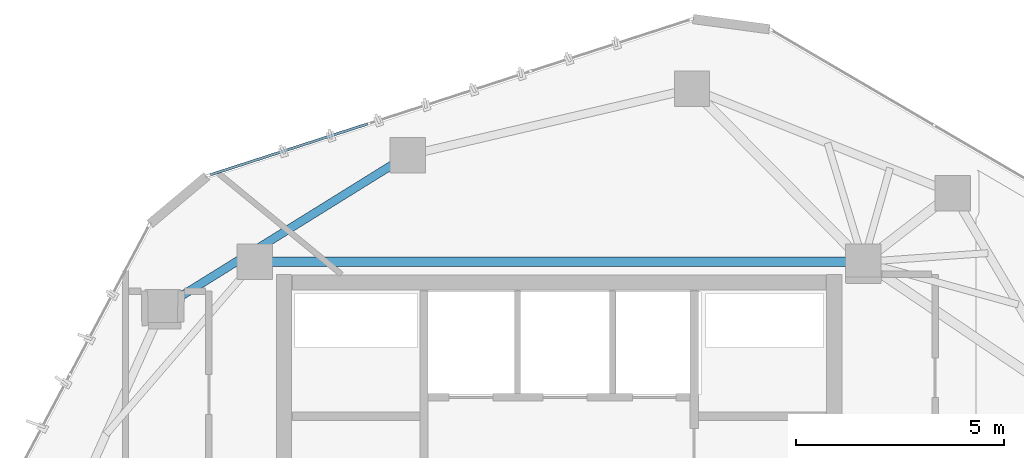
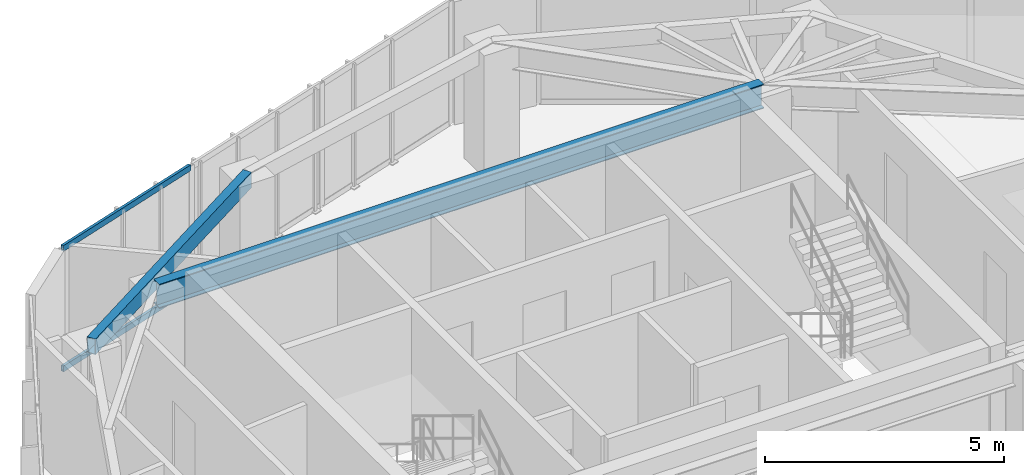
# One storey, part 9 of 19: 2 beams, 2 members, 1 element without a shape of its own.
"""IFC4 building model written with IfcOpenShell, lengths in metres."""

from ifc_helpers import new_model, si_unit, direction, frame, origin, origin_2d, place, context, subcontext, project, spatial, hollow_rectangle, i_section, extrude, source, transform, mapped, material, layer, layer_set, material_profile, profile_set, type_object, type_shapes, element, aggregate, save


model = new_model("IFC4")

# Units and contexts
model_context = context("Model", 3, precision=1e-05, world=origin(), true_north=direction((0.0, 1.0)))
body_context = subcontext(model_context, "Body", "Model", "MODEL_VIEW")
ifc_project = project(units=[si_unit("LENGTHUNIT", "METRE"), si_unit("AREAUNIT", "SQUARE_METRE"), si_unit("VOLUMEUNIT", "CUBIC_METRE"), si_unit("PLANEANGLEUNIT", "RADIAN"), si_unit("MASSUNIT", "GRAM", prefix="KILO")], contexts=[model_context])

# Site, building, storey
site_placement = place(None, origin())
site = spatial("IfcSite", under=ifc_project, at=site_placement, CompositionType="ELEMENT")
building_placement = place(site_placement, origin())
building = spatial("IfcBuilding", under=site, at=building_placement, Name="Talar Marvaseh", CompositionType="ELEMENT")
storey_placement = place(building_placement, frame((0.0, 0.0, 288.39990234375)))
storey = spatial("IfcBuildingStorey", under=building, at=storey_placement, Name="L77", CompositionType="ELEMENT", Elevation=288.39990234375)

# Beams
ifc_material_1 = material(Name="Steel S355", Category="steel")
ifc_material_profile_1 = material_profile(ifc_material_1, hollow_rectangle(XDim=0.199951171875, YDim=0.39990234375, WallThickness=0.013916015625, at=origin_2d()), Name="RHS400x200x14")
ifc_profile_set_1 = profile_set([ifc_material_profile_1], Name="Steel S355")
beam_type_1 = type_object("IfcBeamType", Name="Zone 3 Perimeter Spandrel Beam RHS400x200x14", PredefinedType="SPANDREL", material=ifc_profile_set_1)
beam_1_placement = place(storey_placement, frame((16.493896484375, 35.806884765625, 2.940185546875), z_axis=(0.849439811678, 0.527685518407, 0.0), x_axis=(-0.527685518407, 0.849439811678, 0.0)))
element("IfcBeam", 1, at=beam_1_placement, inside=storey, type_object=beam_type_1, Name="L77 Zone 3 Perimeter Spandrel Beam RHS400x200x14", PredefinedType="SPANDREL", context=body_context, shape_type="SweptSolid", body=[
    extrude(hollow_rectangle(XDim=0.199951171875, YDim=0.39990234375, WallThickness=0.013916015625, at=origin_2d()), origin(), (0.0, 0.0, 1.0), 6.91162109375),
])
ifc_material_profile_2 = material_profile(ifc_material_1, i_section(OverallWidth=0.22998046875, OverallDepth=0.616943359375, WebThickness=0.01318359375, FlangeThickness=0.022216796875, at=origin_2d()), Name="W610x140")
ifc_profile_set_2 = profile_set([ifc_material_profile_2], Name="Steel S355")
beam_type_2 = type_object("IfcBeamType", Name="Zone 4 Radial Floor Girder W610x140", PredefinedType="BEAM", material=ifc_profile_set_2)
beam_2_placement = place(storey_placement, frame((18.699951171875, 36.89990234375, 2.83154296875), z_axis=(1.0, 0.0, 0.0), x_axis=(0.0, 1.0, 0.0)))
element("IfcBeam", 2, at=beam_2_placement, inside=storey, type_object=beam_type_2, Name="L77 Zone 4 Radial Floor Girder W610x140", PredefinedType="BEAM", context=body_context, shape_type="SweptSolid", body=[
    extrude(i_section(OverallWidth=0.22998046875, OverallDepth=0.616943359375, WebThickness=0.01318359375, FlangeThickness=0.022216796875, at=origin_2d()), origin(), (0.0, 0.0, 1.0), 14.60009765625),
])

# Curtain wall, members
ifc_material_2 = material(Name="Architectural Aluminium", Category="aluminium")
ifc_layer = layer(ifc_material_2, 0.179931640625)
ifc_layer_set = layer_set([ifc_layer], Name="Architectural Aluminium")
curtain_wall_type = type_object("IfcCurtainWallType", Name="Unitised High-Wind Sky Curtain Wall Z4", PredefinedType="NOTDEFINED", material=ifc_layer_set)
curtain_wall_placement = place(storey_placement, origin())
curtain_wall = element("IfcCurtainWall", 3, at=curtain_wall_placement, inside=storey, type_object=curtain_wall_type, Name="L77 Unitised High-Wind Sky Curtain Wall Z4", PredefinedType="NOTDEFINED")
ifc_material_profile_3 = material_profile(ifc_material_2, hollow_rectangle(XDim=0.06494140625, YDim=0.14990234375, WallThickness=0.00390625, at=origin_2d()), Name="RHS150x65x4")
ifc_profile_set_3 = profile_set([ifc_material_profile_3], Name="Architectural Aluminium")
member_type = type_object("IfcMemberType", Name="Unitised Curtain Wall Slim Transom RHS150x65x4", PredefinedType="USERDEFINED", material=ifc_profile_set_3)
shared_shape = source(origin(), body_context, "Body", "SweptSolid", [
    extrude(hollow_rectangle(XDim=0.06494140625, YDim=0.14990234375, WallThickness=0.00390625, at=origin_2d()), origin(), (0.0, 0.0, 1.0), 3.97119140625),
])
type_shapes(member_type, [shared_shape])
member_1_placement = place(storey_placement, frame((17.6318359375, 38.986328125, 0.03271484375), z_axis=(0.951425452453, 0.307879210771, 0.0), x_axis=(-0.307879210771, 0.951425452453, 0.0)))
member_1 = element("IfcMember", 4, at=member_1_placement, type_object=member_type, Name="CW-Z4 transom 1.1", ObjectType="TRANSOM", PredefinedType="USERDEFINED", context=body_context, shape_type="MappedRepresentation", body=[
    mapped(shared_shape, transform((0.0, 0.0, 0.0), x_axis=(1.0, 0.0, 0.0), y_axis=(0.0, 1.0, 0.0), z_axis=(0.0, 0.0, 1.0), scale=1.0)),
])
member_2_placement = place(storey_placement, frame((17.6318359375, 38.986328125, 3.107666015625), z_axis=(0.951425452453, 0.307879210771, 0.0), x_axis=(-0.307879210771, 0.951425452453, 0.0)))
member_2 = element("IfcMember", 5, at=member_2_placement, type_object=member_type, Name="CW-Z4 transom 1.2", ObjectType="TRANSOM", PredefinedType="USERDEFINED", context=body_context, shape_type="MappedRepresentation", body=[
    mapped(shared_shape, transform((0.0, 0.0, 0.0), x_axis=(1.0, 0.0, 0.0), y_axis=(0.0, 1.0, 0.0), z_axis=(0.0, 0.0, 1.0), scale=1.0)),
])
aggregate(curtain_wall, [member_1, member_2])

save(model, "model.ifc")
